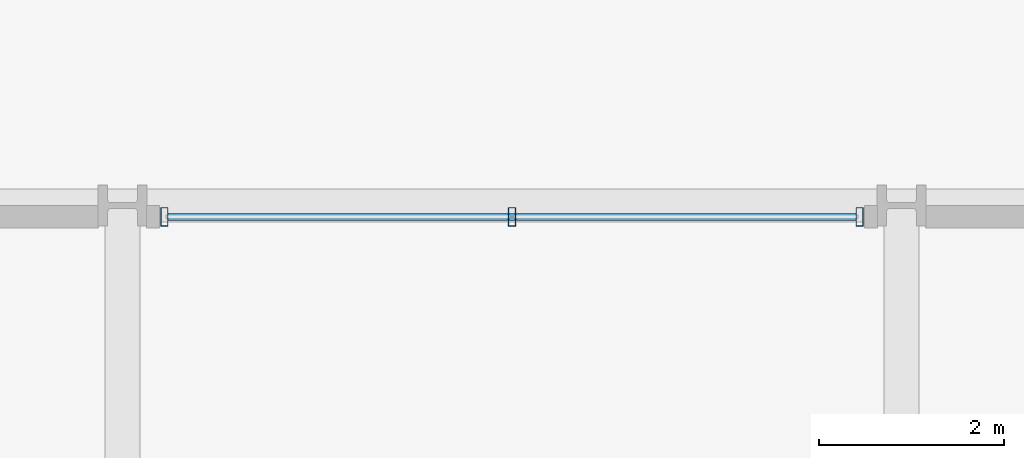
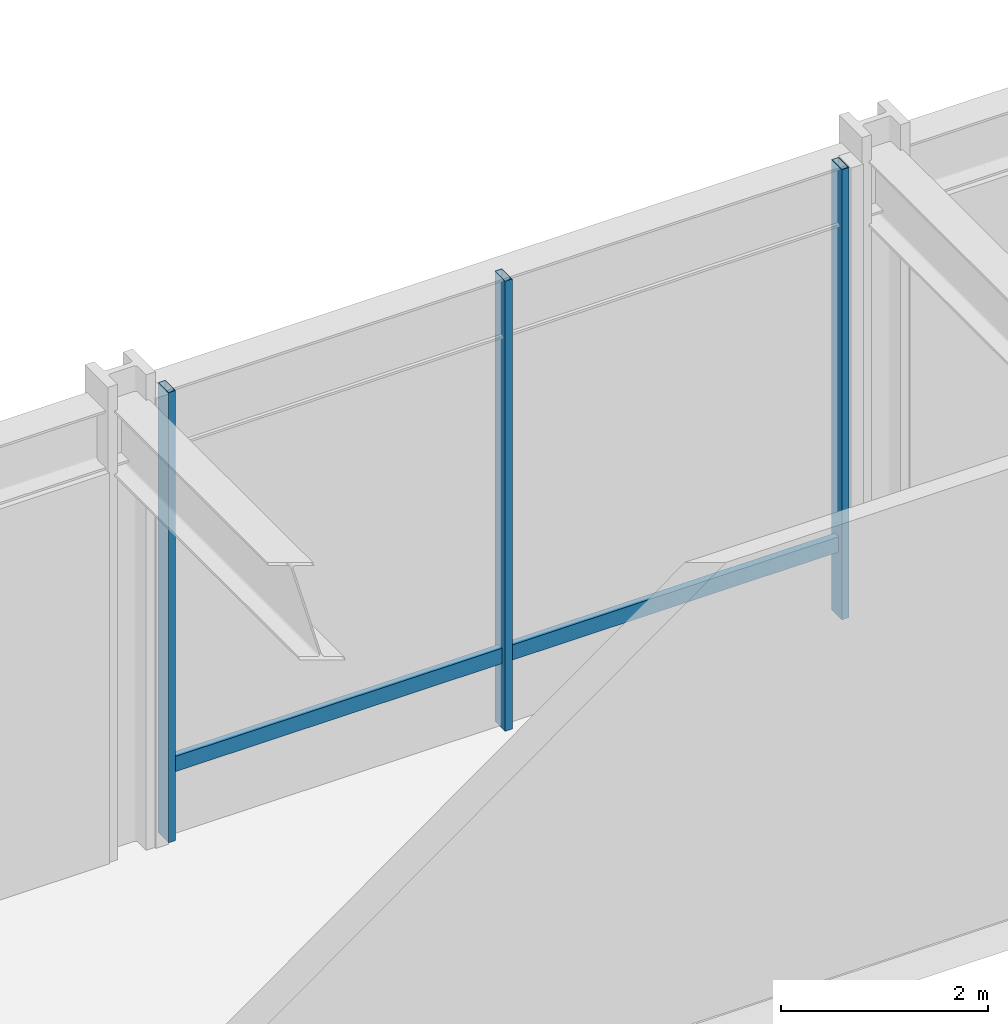
# One storey, part 5 of 21: 4 members, 1 element without a shape of its own.
"""IFC4 building model written with IfcOpenShell, lengths in metres."""

import ifcopenshell
import ifcopenshell.guid

model = None  # the IFC model being written
_history = None  # IfcOwnerHistory: only IFC2X3 demands one
_inside = {}  # id of a spatial element -> (the spatial element, [elements in it])
_under = {}  # id of a project, library or spatial element -> (it, [spatial elements below it])
_declared = {}  # id of a project -> (the project, [libraries it declares])
_typed = {}  # id of a type object -> (the type object, [elements of that type])
_made_of = {}  # id of a material, layer set ... -> (it, [elements and type objects made of it])


def new_model(schema):
    """Start an empty IFC model of exactly this schema.

    Asked for "IFC4X3", IfcOpenShell would pick the latest addendum, in which some entities
    have other attributes; the version numbers below select the first issue.
    IFC2X3 requires an IfcOwnerHistory on every rooted entity: one is made here for all.
    """
    global model, _history
    if schema == "IFC4X3":
        model = ifcopenshell.file(schema_version=(4, 3, 0, 0))
    else:
        model = ifcopenshell.file(schema=schema)
    _inside.clear()
    _under.clear()
    _declared.clear()
    _typed.clear()
    _made_of.clear()
    _history = None
    if model.schema == "IFC2X3":
        org = make("IfcOrganization", Name="unknown")
        user = make(
            "IfcPersonAndOrganization",
            ThePerson=make("IfcPerson", FamilyName="unknown"),
            TheOrganization=org,
        )
        app = make(
            "IfcApplication",
            ApplicationDeveloper=org,
            Version="unknown",
            ApplicationFullName="unknown",
            ApplicationIdentifier="unknown",
        )
        _history = make(
            "IfcOwnerHistory",
            OwningUser=user,
            OwningApplication=app,
            ChangeAction="ADDED",
            CreationDate=0,
        )
    return model


def make(cls, **values):
    """One entity of the class cls with the attributes given. An attribute that is None is left unset."""
    return model.create_entity(
        cls, **{name: value for name, value in values.items() if value is not None}
    )


def rooted(cls, **values):
    """An entity with a GlobalId (a new one), such as an element, a storey or a relation."""
    return make(cls, GlobalId=ifcopenshell.guid.new(), OwnerHistory=_history, **values)


def si_unit(unit_type, name, prefix=None):
    """IfcSIUnit, for example si_unit("LENGTHUNIT", "METRE", prefix="MILLI")."""
    return make("IfcSIUnit", UnitType=unit_type, Prefix=prefix, Name=name)


def assignment(units):
    """IfcUnitAssignment: the units of a project."""
    return None if units is None else make("IfcUnitAssignment", Units=units)


def point(xyz):
    """IfcCartesianPoint."""
    return None if xyz is None else make("IfcCartesianPoint", Coordinates=xyz)


def direction(xyz):
    """IfcDirection."""
    return None if xyz is None else make("IfcDirection", DirectionRatios=xyz)


def frame(location, z_axis=None, x_axis=None):
    """IfcAxis2Placement3D, a coordinate frame: its origin and axes. An axis left out is left unset."""
    return make(
        "IfcAxis2Placement3D",
        Location=point(location),
        Axis=direction(z_axis),
        RefDirection=direction(x_axis),
    )


def frame_2d(location, x_axis=None):
    """IfcAxis2Placement2D, a coordinate frame in the plane: its origin and x axis."""
    return make(
        "IfcAxis2Placement2D", Location=point(location), RefDirection=direction(x_axis)
    )


def origin():
    """The frame at (0, 0, 0) with its axes left unset."""
    return frame((0.0, 0.0, 0.0))


def origin_2d():
    """The frame at (0, 0) in the plane with its x axis left unset."""
    return frame_2d((0.0, 0.0))


def place(relative_to, where):
    """IfcLocalPlacement: puts the frame where relative to a parent placement (None: the world)."""
    return make(
        "IfcLocalPlacement", PlacementRelTo=relative_to, RelativePlacement=where
    )


def context(
    kind, dimensions, precision=None, world=None, true_north=None, identifier=None
):
    """IfcGeometricRepresentationContext, for example the 3D "Model" context."""
    return make(
        "IfcGeometricRepresentationContext",
        ContextIdentifier=identifier,
        ContextType=kind,
        CoordinateSpaceDimension=dimensions,
        Precision=precision,
        WorldCoordinateSystem=world,
        TrueNorth=true_north,
    )


def subcontext(parent, identifier, kind, view, scale=None):
    """IfcGeometricRepresentationSubContext, for example "Body" below "Model"."""
    return make(
        "IfcGeometricRepresentationSubContext",
        ContextIdentifier=identifier,
        ContextType=kind,
        ParentContext=parent,
        TargetScale=scale,
        TargetView=view,
    )


def project(units=None, contexts=None):
    """IfcProject with its units and contexts."""
    return rooted(
        "IfcProject",
        Name="project",
        RepresentationContexts=contexts,
        UnitsInContext=assignment(units),
    )


def spatial(cls, under=None, at=None, **own):
    """A site, building, storey or space (cls), placed at a placement, below another one or the project."""
    s = rooted(cls, ObjectPlacement=at, **own)
    if under is not None:
        _under.setdefault(under.id(), (under, []))[1].append(s)
    return s


def profile(cls, at=None, kind="AREA", **sizes):
    """A parametric profile (cls). Its sizes go by their IFC names, for example OverallWidth=200.0."""
    return make(cls, ProfileType=kind, Position=at, **sizes)


def hollow_rectangle(**sizes):
    """IfcRectangleHollowProfileDef."""
    return profile("IfcRectangleHollowProfileDef", **sizes)


def extrude(swept, where, along, depth):
    """IfcExtrudedAreaSolid: the profile swept, set in the frame where, extruded along a direction by depth."""
    return make(
        "IfcExtrudedAreaSolid",
        SweptArea=swept,
        Position=where,
        ExtrudedDirection=direction(along),
        Depth=depth,
    )


def shape(context_of_items, identifier, shape_type, items):
    """IfcShapeRepresentation: the items that make up one representation, for example the "Body"."""
    return make(
        "IfcShapeRepresentation",
        ContextOfItems=context_of_items,
        RepresentationIdentifier=identifier,
        RepresentationType=shape_type,
        Items=items,
    )


def material(Name=None, Category=None):
    """IfcMaterial."""
    return make("IfcMaterial", Name=Name, Category=Category)


def layer(
    of_material, thickness, ventilated=None, Name=None, Category=None, Priority=None
):
    """IfcMaterialLayer: one layer of a wall or slab, of a material (None: an air gap)."""
    return make(
        "IfcMaterialLayer",
        Material=of_material,
        LayerThickness=thickness,
        IsVentilated=ventilated,
        Name=Name,
        Category=Category,
        Priority=Priority,
    )


def layer_set(layers, Name=None):
    """IfcMaterialLayerSet."""
    return make("IfcMaterialLayerSet", MaterialLayers=layers, LayerSetName=Name)


def material_profile(
    of_material, cross_section, Name=None, Category=None, Priority=None
):
    """IfcMaterialProfile: a cross section and its material."""
    return make(
        "IfcMaterialProfile",
        Name=Name,
        Material=of_material,
        Profile=cross_section,
        Priority=Priority,
        Category=Category,
    )


def profile_set(profiles, Name=None, composite=None):
    """IfcMaterialProfileSet."""
    return make(
        "IfcMaterialProfileSet",
        Name=Name,
        MaterialProfiles=profiles,
        CompositeProfile=composite,
    )


def made_of(thing, what):
    """Note that an element or type object is made of a material, layer set ...; save() writes the relation."""
    if what is not None:
        _made_of.setdefault(what.id(), (what, []))[1].append(thing)
    return thing


def type_object(cls, material=None, **own):
    """A type object (cls), such as IfcWallType, which elements share."""
    return made_of(rooted(cls, **own), material)


def element(
    cls,
    number,
    at=None,
    inside=None,
    cuts=None,
    type_object=None,
    material=None,
    context=None,
    identifier="Body",
    shape_type=None,
    held_by="IfcProductDefinitionShape",
    body=None,
    shapes=None,
    **own,
):
    """One element of the class cls, such as IfcWall. Its Tag is "e" and its number.

    at: its placement. inside: the storey or other place that contains it. cuts: it is an
    opening in that element (IfcRelVoidsElement). A single representation is given by context,
    identifier, shape_type and body (its items); several are given by shapes. held_by: the class
    of the entity that holds the representations. save() writes the other relations.
    """
    e = rooted(cls, Tag="e%d" % number, ObjectPlacement=at, **own)
    if body is not None:
        shapes = [shape(context, identifier, shape_type, body)]
    if shapes is not None:
        e.Representation = make(held_by, Representations=shapes)
    if inside is not None:
        _inside.setdefault(inside.id(), (inside, []))[1].append(e)
    if cuts is not None:
        rooted(
            "IfcRelVoidsElement", RelatingBuildingElement=cuts, RelatedOpeningElement=e
        )
    if type_object is not None:
        _typed.setdefault(type_object.id(), (type_object, []))[1].append(e)
    return made_of(e, material)


def aggregate(whole, parts):
    """IfcRelAggregates: a whole, such as a stair, and the parts it consists of."""
    return rooted("IfcRelAggregates", RelatingObject=whole, RelatedObjects=parts)


def save(model, path):
    """Write the relations noted so far, then the file.

    IfcRelAggregates (storeys below a building ...), IfcRelContainedInSpatialStructure (elements
    in a storey), IfcRelDefinesByType, IfcRelAssociatesMaterial and IfcRelDeclares: one each for
    every whole, place, type object, material and project.
    """
    for whole, parts in _under.values():
        aggregate(whole, parts)
    for where, things in _inside.values():
        rooted(
            "IfcRelContainedInSpatialStructure",
            RelatedElements=things,
            RelatingStructure=where,
        )
    for kind, things in _typed.values():
        rooted("IfcRelDefinesByType", RelatedObjects=things, RelatingType=kind)
    for what, things in _made_of.values():
        rooted("IfcRelAssociatesMaterial", RelatedObjects=things, RelatingMaterial=what)
    for by, libraries in _declared.values():
        rooted("IfcRelDeclares", RelatingContext=by, RelatedDefinitions=libraries)
    model.write(path)


model = new_model("IFC4")

# Units and contexts
model_context = context("Model", 3, precision=1e-05, world=origin(), true_north=direction((0.0, 1.0)))
body_context = subcontext(model_context, "Body", "Model", "MODEL_VIEW")
ifc_project = project(units=[si_unit("LENGTHUNIT", "METRE"), si_unit("AREAUNIT", "SQUARE_METRE"), si_unit("VOLUMEUNIT", "CUBIC_METRE"), si_unit("PLANEANGLEUNIT", "RADIAN"), si_unit("MASSUNIT", "GRAM", prefix="KILO")], contexts=[model_context])

# Site, building, storey
site_placement = place(None, origin())
site = spatial("IfcSite", under=ifc_project, at=site_placement, CompositionType="ELEMENT")
building_placement = place(site_placement, origin())
building = spatial("IfcBuilding", under=site, at=building_placement, Name="Drelvath Grand Hotel", CompositionType="ELEMENT")
storey_placement = place(building_placement, origin())
storey = spatial("IfcBuildingStorey", under=building, at=storey_placement, Name="L00", CompositionType="ELEMENT", Elevation=0.0)

# Curtain wall, members
ifc_material = material(Name="Dark Bronze Anodised Aluminium Frame", Category="aluminium")
ifc_layer = layer(ifc_material, 0.199951171875)
ifc_layer_set = layer_set([ifc_layer], Name="Dark Bronze Anodised Aluminium Frame")
curtain_wall_type = type_object("IfcCurtainWallType", Name="Stick Curtain Wall CW-01 Dark Bronze Podium", PredefinedType="NOTDEFINED", material=ifc_layer_set)
curtain_wall_placement = place(storey_placement, origin())
curtain_wall = element("IfcCurtainWall", 1, at=curtain_wall_placement, inside=storey, type_object=curtain_wall_type, Name="L00 CW-01 Curtain Wall CW01-L00-NC1", PredefinedType="NOTDEFINED")
ifc_material_profile_1 = material_profile(ifc_material, hollow_rectangle(XDim=0.074951171875, YDim=0.179931640625, WallThickness=0.0048828125, at=origin_2d()), Name="HSS180X75X5")
ifc_profile_set_1 = profile_set([ifc_material_profile_1], Name="Dark Bronze Anodised Aluminium Frame")
member_type_1 = type_object("IfcMemberType", Name="Curtain Wall Horizontal Transom CW-01 HSS180X75X5", PredefinedType="USERDEFINED", material=ifc_profile_set_1)
member_1_placement = place(storey_placement, frame((-7.909912109375, 53.8798828125, 0.85009765625), z_axis=(1.0, 0.0, 0.0), x_axis=(0.0, 1.0, 0.0)))
member_1 = element("IfcMember", 2, at=member_1_placement, type_object=member_type_1, Name="CW01-L00-NC1 Sill Transom", ObjectType="TRANSOM", PredefinedType="USERDEFINED", context=body_context, shape_type="SweptSolid", body=[
    extrude(hollow_rectangle(XDim=0.074951171875, YDim=0.179931640625, WallThickness=0.0048828125, at=origin_2d()), origin(), (0.0, 0.0, 1.0), 7.419921875),
])
ifc_material_profile_2 = material_profile(ifc_material, hollow_rectangle(XDim=0.080078125, YDim=0.199951171875, WallThickness=0.0048828125, at=origin_2d()), Name="HSS200X80X5")
ifc_profile_set_2 = profile_set([ifc_material_profile_2], Name="Dark Bronze Anodised Aluminium Frame")
member_type_2 = type_object("IfcMemberType", Name="Curtain Wall Vertical Mullion CW-01 HSS200X80X5", PredefinedType="MULLION", material=ifc_profile_set_2)
member_2_placement = place(storey_placement, frame((-7.949951171875, 53.8798828125, 0.0), z_axis=(0.0, 0.0, 1.0), x_axis=(1.0, 0.0, 0.0)))
member_2 = element("IfcMember", 3, at=member_2_placement, type_object=member_type_2, Name="CW01-L00-NC1 Mullion 1", PredefinedType="MULLION", context=body_context, shape_type="SweptSolid", body=[
    extrude(hollow_rectangle(XDim=0.080078125, YDim=0.199951171875, WallThickness=0.0048828125, at=origin_2d()), origin(), (0.0, 0.0, 1.0), 5.300048828125),
])
member_3_placement = place(storey_placement, frame((-4.199951171875, 53.8798828125, 0.0), z_axis=(0.0, 0.0, 1.0), x_axis=(1.0, 0.0, 0.0)))
member_3 = element("IfcMember", 4, at=member_3_placement, type_object=member_type_2, Name="CW01-L00-NC1 Mullion 2", PredefinedType="MULLION", context=body_context, shape_type="SweptSolid", body=[
    extrude(hollow_rectangle(XDim=0.080078125, YDim=0.199951171875, WallThickness=0.0048828125, at=origin_2d()), origin(), (0.0, 0.0, 1.0), 5.300048828125),
])
member_4_placement = place(storey_placement, frame((-0.449951171875, 53.8798828125, 0.0), z_axis=(0.0, 0.0, 1.0), x_axis=(1.0, 0.0, 0.0)))
member_4 = element("IfcMember", 5, at=member_4_placement, type_object=member_type_2, Name="CW01-L00-NC1 Mullion 3", PredefinedType="MULLION", context=body_context, shape_type="SweptSolid", body=[
    extrude(hollow_rectangle(XDim=0.080078125, YDim=0.199951171875, WallThickness=0.0048828125, at=origin_2d()), origin(), (0.0, 0.0, 1.0), 5.300048828125),
])
aggregate(curtain_wall, [member_2, member_3, member_4, member_1])

save(model, "model.ifc")
